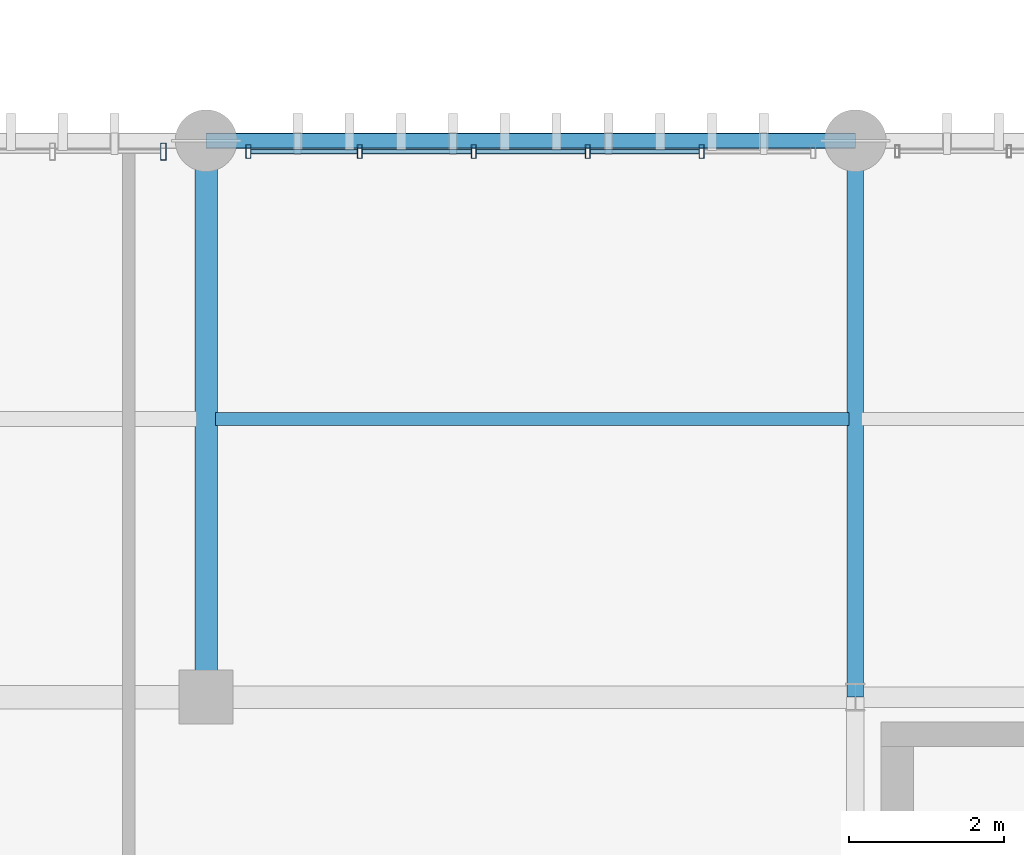
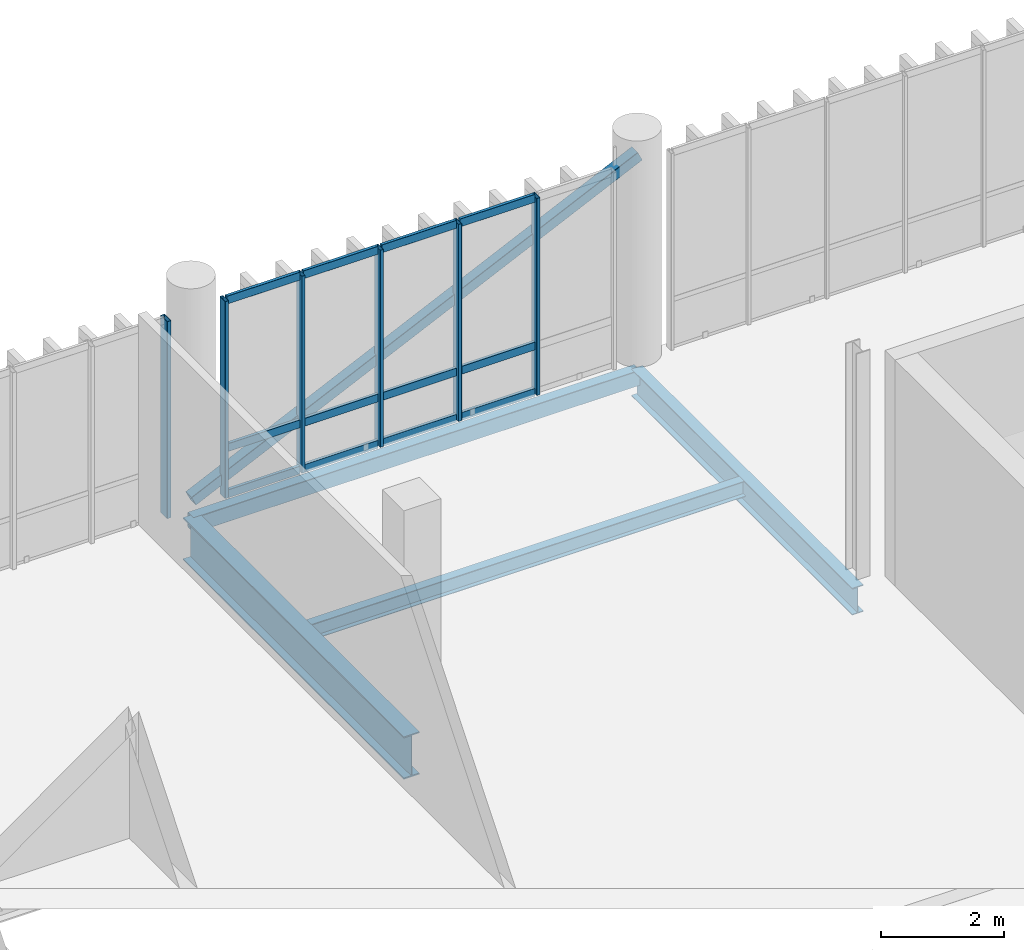
# One storey, part 32 of 68: 19 members, 4 beams, 2 elements without a shape of their own.
"""IFC4 building model written with IfcOpenShell, lengths in metres."""

import ifcopenshell
import ifcopenshell.guid

model = None  # the IFC model being written
_history = None  # IfcOwnerHistory: only IFC2X3 demands one
_inside = {}  # id of a spatial element -> (the spatial element, [elements in it])
_under = {}  # id of a project, library or spatial element -> (it, [spatial elements below it])
_declared = {}  # id of a project -> (the project, [libraries it declares])
_typed = {}  # id of a type object -> (the type object, [elements of that type])
_made_of = {}  # id of a material, layer set ... -> (it, [elements and type objects made of it])


def new_model(schema):
    """Start an empty IFC model of exactly this schema.

    Asked for "IFC4X3", IfcOpenShell would pick the latest addendum, in which some entities
    have other attributes; the version numbers below select the first issue.
    IFC2X3 requires an IfcOwnerHistory on every rooted entity: one is made here for all.
    """
    global model, _history
    if schema == "IFC4X3":
        model = ifcopenshell.file(schema_version=(4, 3, 0, 0))
    else:
        model = ifcopenshell.file(schema=schema)
    _inside.clear()
    _under.clear()
    _declared.clear()
    _typed.clear()
    _made_of.clear()
    _history = None
    if model.schema == "IFC2X3":
        org = make("IfcOrganization", Name="unknown")
        user = make(
            "IfcPersonAndOrganization",
            ThePerson=make("IfcPerson", FamilyName="unknown"),
            TheOrganization=org,
        )
        app = make(
            "IfcApplication",
            ApplicationDeveloper=org,
            Version="unknown",
            ApplicationFullName="unknown",
            ApplicationIdentifier="unknown",
        )
        _history = make(
            "IfcOwnerHistory",
            OwningUser=user,
            OwningApplication=app,
            ChangeAction="ADDED",
            CreationDate=0,
        )
    return model


def make(cls, **values):
    """One entity of the class cls with the attributes given. An attribute that is None is left unset."""
    return model.create_entity(
        cls, **{name: value for name, value in values.items() if value is not None}
    )


def rooted(cls, **values):
    """An entity with a GlobalId (a new one), such as an element, a storey or a relation."""
    return make(cls, GlobalId=ifcopenshell.guid.new(), OwnerHistory=_history, **values)


def si_unit(unit_type, name, prefix=None):
    """IfcSIUnit, for example si_unit("LENGTHUNIT", "METRE", prefix="MILLI")."""
    return make("IfcSIUnit", UnitType=unit_type, Prefix=prefix, Name=name)


def assignment(units):
    """IfcUnitAssignment: the units of a project."""
    return None if units is None else make("IfcUnitAssignment", Units=units)


def point(xyz):
    """IfcCartesianPoint."""
    return None if xyz is None else make("IfcCartesianPoint", Coordinates=xyz)


def direction(xyz):
    """IfcDirection."""
    return None if xyz is None else make("IfcDirection", DirectionRatios=xyz)


def frame(location, z_axis=None, x_axis=None):
    """IfcAxis2Placement3D, a coordinate frame: its origin and axes. An axis left out is left unset."""
    return make(
        "IfcAxis2Placement3D",
        Location=point(location),
        Axis=direction(z_axis),
        RefDirection=direction(x_axis),
    )


def frame_2d(location, x_axis=None):
    """IfcAxis2Placement2D, a coordinate frame in the plane: its origin and x axis."""
    return make(
        "IfcAxis2Placement2D", Location=point(location), RefDirection=direction(x_axis)
    )


def origin_with_axes():
    """The frame at (0, 0, 0) with the z axis (0, 0, 1) and the x axis (1, 0, 0) written out."""
    return frame((0.0, 0.0, 0.0), z_axis=(0.0, 0.0, 1.0), x_axis=(1.0, 0.0, 0.0))


def origin_2d_with_axis():
    """The frame at (0, 0) in the plane with the x axis (1, 0) written out."""
    return frame_2d((0.0, 0.0), x_axis=(1.0, 0.0))


def place(relative_to, where):
    """IfcLocalPlacement: puts the frame where relative to a parent placement (None: the world)."""
    return make(
        "IfcLocalPlacement", PlacementRelTo=relative_to, RelativePlacement=where
    )


def context(
    kind, dimensions, precision=None, world=None, true_north=None, identifier=None
):
    """IfcGeometricRepresentationContext, for example the 3D "Model" context."""
    return make(
        "IfcGeometricRepresentationContext",
        ContextIdentifier=identifier,
        ContextType=kind,
        CoordinateSpaceDimension=dimensions,
        Precision=precision,
        WorldCoordinateSystem=world,
        TrueNorth=true_north,
    )


def subcontext(parent, identifier, kind, view, scale=None):
    """IfcGeometricRepresentationSubContext, for example "Body" below "Model"."""
    return make(
        "IfcGeometricRepresentationSubContext",
        ContextIdentifier=identifier,
        ContextType=kind,
        ParentContext=parent,
        TargetScale=scale,
        TargetView=view,
    )


def project(units=None, contexts=None):
    """IfcProject with its units and contexts."""
    return rooted(
        "IfcProject",
        Name="project",
        RepresentationContexts=contexts,
        UnitsInContext=assignment(units),
    )


def spatial(cls, under=None, at=None, **own):
    """A site, building, storey or space (cls), placed at a placement, below another one or the project."""
    s = rooted(cls, ObjectPlacement=at, **own)
    if under is not None:
        _under.setdefault(under.id(), (under, []))[1].append(s)
    return s


def profile(cls, at=None, kind="AREA", **sizes):
    """A parametric profile (cls). Its sizes go by their IFC names, for example OverallWidth=200.0."""
    return make(cls, ProfileType=kind, Position=at, **sizes)


def hollow_rectangle(**sizes):
    """IfcRectangleHollowProfileDef."""
    return profile("IfcRectangleHollowProfileDef", **sizes)


def i_section(**sizes):
    """IfcIShapeProfileDef."""
    return profile("IfcIShapeProfileDef", **sizes)


def extrude(swept, where, along, depth):
    """IfcExtrudedAreaSolid: the profile swept, set in the frame where, extruded along a direction by depth."""
    return make(
        "IfcExtrudedAreaSolid",
        SweptArea=swept,
        Position=where,
        ExtrudedDirection=direction(along),
        Depth=depth,
    )


def shape(context_of_items, identifier, shape_type, items):
    """IfcShapeRepresentation: the items that make up one representation, for example the "Body"."""
    return make(
        "IfcShapeRepresentation",
        ContextOfItems=context_of_items,
        RepresentationIdentifier=identifier,
        RepresentationType=shape_type,
        Items=items,
    )


def material(Name=None, Category=None):
    """IfcMaterial."""
    return make("IfcMaterial", Name=Name, Category=Category)


def material_profile(
    of_material, cross_section, Name=None, Category=None, Priority=None
):
    """IfcMaterialProfile: a cross section and its material."""
    return make(
        "IfcMaterialProfile",
        Name=Name,
        Material=of_material,
        Profile=cross_section,
        Priority=Priority,
        Category=Category,
    )


def profile_set(profiles, Name=None, composite=None):
    """IfcMaterialProfileSet."""
    return make(
        "IfcMaterialProfileSet",
        Name=Name,
        MaterialProfiles=profiles,
        CompositeProfile=composite,
    )


def made_of(thing, what):
    """Note that an element or type object is made of a material, layer set ...; save() writes the relation."""
    if what is not None:
        _made_of.setdefault(what.id(), (what, []))[1].append(thing)
    return thing


def type_object(cls, material=None, **own):
    """A type object (cls), such as IfcWallType, which elements share."""
    return made_of(rooted(cls, **own), material)


def element(
    cls,
    number,
    at=None,
    inside=None,
    cuts=None,
    type_object=None,
    material=None,
    context=None,
    identifier="Body",
    shape_type=None,
    held_by="IfcProductDefinitionShape",
    body=None,
    shapes=None,
    **own,
):
    """One element of the class cls, such as IfcWall. Its Tag is "e" and its number.

    at: its placement. inside: the storey or other place that contains it. cuts: it is an
    opening in that element (IfcRelVoidsElement). A single representation is given by context,
    identifier, shape_type and body (its items); several are given by shapes. held_by: the class
    of the entity that holds the representations. save() writes the other relations.
    """
    e = rooted(cls, Tag="e%d" % number, ObjectPlacement=at, **own)
    if body is not None:
        shapes = [shape(context, identifier, shape_type, body)]
    if shapes is not None:
        e.Representation = make(held_by, Representations=shapes)
    if inside is not None:
        _inside.setdefault(inside.id(), (inside, []))[1].append(e)
    if cuts is not None:
        rooted(
            "IfcRelVoidsElement", RelatingBuildingElement=cuts, RelatedOpeningElement=e
        )
    if type_object is not None:
        _typed.setdefault(type_object.id(), (type_object, []))[1].append(e)
    return made_of(e, material)


def aggregate(whole, parts):
    """IfcRelAggregates: a whole, such as a stair, and the parts it consists of."""
    return rooted("IfcRelAggregates", RelatingObject=whole, RelatedObjects=parts)


def save(model, path):
    """Write the relations noted so far, then the file.

    IfcRelAggregates (storeys below a building ...), IfcRelContainedInSpatialStructure (elements
    in a storey), IfcRelDefinesByType, IfcRelAssociatesMaterial and IfcRelDeclares: one each for
    every whole, place, type object, material and project.
    """
    for whole, parts in _under.values():
        aggregate(whole, parts)
    for where, things in _inside.values():
        rooted(
            "IfcRelContainedInSpatialStructure",
            RelatedElements=things,
            RelatingStructure=where,
        )
    for kind, things in _typed.values():
        rooted("IfcRelDefinesByType", RelatedObjects=things, RelatingType=kind)
    for what, things in _made_of.values():
        rooted("IfcRelAssociatesMaterial", RelatedObjects=things, RelatingMaterial=what)
    for by, libraries in _declared.values():
        rooted("IfcRelDeclares", RelatingContext=by, RelatedDefinitions=libraries)
    model.write(path)


model = new_model("IFC4")

# Units and contexts
model_context = context("Model", 3, precision=1e-05, world=origin_with_axes(), true_north=direction((0.0, 1.0)))
body_context = subcontext(model_context, "Body", "Model", "MODEL_VIEW")
ifc_project = project(units=[si_unit("LENGTHUNIT", "METRE"), si_unit("AREAUNIT", "SQUARE_METRE"), si_unit("VOLUMEUNIT", "CUBIC_METRE"), si_unit("PLANEANGLEUNIT", "RADIAN"), si_unit("MASSUNIT", "GRAM", prefix="KILO"), si_unit("THERMODYNAMICTEMPERATUREUNIT", "KELVIN")], contexts=[model_context])

# Site, building, storey
site_placement = place(None, origin_with_axes())
site = spatial("IfcSite", under=ifc_project, at=site_placement, CompositionType="ELEMENT")
building_placement = place(site_placement, origin_with_axes())
building = spatial("IfcBuilding", under=site, at=building_placement, Name="Montbau Bow Law Courts", CompositionType="ELEMENT")
storey_placement = place(building_placement, frame((0.0, 0.0, 20.4), z_axis=(0.0, 0.0, 1.0), x_axis=(1.0, 0.0, 0.0)))
storey = spatial("IfcBuildingStorey", under=building, at=storey_placement, Name="L04", CompositionType="ELEMENT", Elevation=20.4)

# Beams
ifc_material_1 = material(Name="Steel CSA G40.21 Grade 350W (350 MPa)", Category="steel")
ifc_material_profile_1 = material_profile(ifc_material_1, i_section(OverallWidth=0.293, OverallDepth=0.846, WebThickness=0.0154, FlangeThickness=0.0244, at=origin_2d_with_axis()), Name="W840X210", Category="Main", Priority=0)
ifc_profile_set_1 = profile_set([ifc_material_profile_1], Name="Steel CSA G40.21 Grade 350W (350 MPa)")
beam_type_1 = type_object("IfcBeamType", Name="B-FLR-02", PredefinedType="BEAM", material=ifc_profile_set_1)
beam_1_placement = place(None, frame((72.0, 54.6, 19.697), z_axis=(0.0, 1.0, 0.0), x_axis=(-1.0, 0.0, 0.0)))
element("IfcBeam", 1, at=beam_1_placement, inside=storey, type_object=beam_type_1, Name="BM-L04-S0947:bm2_0950", PredefinedType="BEAM", context=body_context, shape_type="SweptSolid", body=[
    extrude(i_section(OverallWidth=0.293, OverallDepth=0.846, WebThickness=0.0154, FlangeThickness=0.0244, at=origin_2d_with_axis()), origin_with_axes(), (0.0, 0.0, 1.0), 7.2),
])
ifc_material_profile_2 = material_profile(ifc_material_1, i_section(OverallWidth=0.21, OverallDepth=0.537, WebThickness=0.0109, FlangeThickness=0.0174, at=origin_2d_with_axis()), Name="W530X101", Category="Main", Priority=0)
ifc_profile_set_2 = profile_set([ifc_material_profile_2], Name="Steel CSA G40.21 Grade 350W (350 MPa)")
beam_type_2 = type_object("IfcBeamType", Name="B-FLR-06", PredefinedType="BEAM", material=ifc_profile_set_2)
beam_2_placement = place(None, frame((80.4, 54.6, 19.852), z_axis=(0.0, 1.0, 0.0), x_axis=(-1.0, 0.0, 0.0)))
element("IfcBeam", 2, at=beam_2_placement, inside=storey, type_object=beam_type_2, Name="BM-L04-S0950:bm2_0953", PredefinedType="BEAM", context=body_context, shape_type="SweptSolid", body=[
    extrude(i_section(OverallWidth=0.21, OverallDepth=0.537, WebThickness=0.0109, FlangeThickness=0.0174, at=origin_2d_with_axis()), origin_with_axes(), (0.0, 0.0, 1.0), 7.2),
])
ifc_material_profile_3 = material_profile(ifc_material_1, i_section(OverallWidth=0.166, OverallDepth=0.313, WebThickness=0.0066, FlangeThickness=0.0112, at=origin_2d_with_axis()), Name="W310X45", Category="Main", Priority=0)
ifc_profile_set_3 = profile_set([ifc_material_profile_3], Name="Steel CSA G40.21 Grade 350W (350 MPa)")
beam_type_3 = type_object("IfcBeamType", Name="B-JST-04", PredefinedType="JOIST", material=ifc_profile_set_3)
beam_3_placement = place(None, frame((72.123, 58.2, 19.963), z_axis=(1.0, 0.0, 0.0), x_axis=(0.0, 1.0, 0.0)))
element("IfcBeam", 3, at=beam_3_placement, inside=storey, type_object=beam_type_3, Name="JST-L04-S0487:jst2_0487", PredefinedType="JOIST", context=body_context, shape_type="SweptSolid", body=[
    extrude(i_section(OverallWidth=0.166, OverallDepth=0.313, WebThickness=0.0066, FlangeThickness=0.0112, at=origin_2d_with_axis()), origin_with_axes(), (0.0, 0.0, 1.0), 8.196),
])
ifc_material_2 = material(Name="Steel CSA G40.21 Grade 350WT (350 MPa)", Category="steel")
ifc_material_profile_4 = material_profile(ifc_material_2, hollow_rectangle(XDim=0.203, YDim=0.305, WallThickness=0.0127, InnerFilletRadius=0.0254, OuterFilletRadius=0.0127, at=origin_2d_with_axis()), Name="HSS305X203X13", Category="Main", Priority=0)
ifc_profile_set_4 = profile_set([ifc_material_profile_4], Name="Steel CSA G40.21 Grade 350WT (350 MPa)")
beam_type_4 = type_object("IfcBeamType", Name="B-SPN-02", PredefinedType="SPANDREL", material=ifc_profile_set_4)
beam_4_placement = place(None, frame((72.0, 61.8, 19.968), z_axis=(1.0, 0.0, 0.0), x_axis=(0.0, 1.0, 0.0)))
element("IfcBeam", 4, at=beam_4_placement, inside=storey, type_object=beam_type_4, Name="SPN-L04-S0936:bm2_0939", PredefinedType="SPANDREL", context=body_context, shape_type="SweptSolid", body=[
    extrude(hollow_rectangle(XDim=0.203, YDim=0.305, WallThickness=0.0127, InnerFilletRadius=0.0254, OuterFilletRadius=0.0127, at=origin_2d_with_axis()), origin_with_axes(), (0.0, 0.0, 1.0), 8.4),
])

# Member
ifc_material_profile_5 = material_profile(ifc_material_1, hollow_rectangle(XDim=0.203, YDim=0.203, WallThickness=0.0111, InnerFilletRadius=0.0222, OuterFilletRadius=0.0111, at=origin_2d_with_axis()), Name="HSS203X203X11", Category="Main", Priority=0)
ifc_profile_set_5 = profile_set([ifc_material_profile_5], Name="Steel CSA G40.21 Grade 350W (350 MPa)")
member_type_1 = type_object("IfcMemberType", Name="M-BRC-02", PredefinedType="BRACE", material=ifc_profile_set_5)
member_1_placement = place(None, frame((72.0, 61.8, 20.45), z_axis=(0.905893637, 0.0, 0.423505275), x_axis=(0.0, 1.0, 0.0)))
element("IfcMember", 5, at=member_1_placement, inside=storey, type_object=member_type_1, Name="Diagonal brace CBF-L04-054A", PredefinedType="BRACE", context=body_context, shape_type="SweptSolid", body=[
    extrude(hollow_rectangle(XDim=0.203, YDim=0.203, WallThickness=0.0111, InnerFilletRadius=0.0222, OuterFilletRadius=0.0111, at=origin_2d_with_axis()), origin_with_axes(), (0.0, 0.0, 1.0), 9.272612),
])

# Curtain wall, member
ifc_material_3 = material(Name="Thermally Broken Extruded Aluminium AA 6063-T6", Category="aluminium")
curtain_wall_type = type_object("IfcCurtainWallType", Name="CW-CRM-01", PredefinedType="NOTDEFINED", material=ifc_material_3)
curtain_wall_1_placement = place(None, frame((64.115, 61.66, 20.4), z_axis=(0.0, 0.0, 1.0), x_axis=(1.0, 0.0, 0.0)))
curtain_wall_1 = element("IfcCurtainWall", 6, at=curtain_wall_1_placement, inside=storey, type_object=curtain_wall_type, Name="CW-L04-201:cw_0201", PredefinedType="NOTDEFINED")
ifc_material_profile_6 = material_profile(ifc_material_3, hollow_rectangle(XDim=0.075, YDim=0.22, WallThickness=0.005, InnerFilletRadius=0.01, OuterFilletRadius=0.005, at=origin_2d_with_axis()), Name="CWM-220X75", Category="Main", Priority=0)
ifc_profile_set_6 = profile_set([ifc_material_profile_6], Name="Thermally Broken Extruded Aluminium AA 6063-T6")
member_type_2 = type_object("IfcMemberType", Name="M-MUL-01", PredefinedType="MULLION", material=ifc_profile_set_6)
member_2_placement = place(None, frame((71.448, 61.66, 20.4), z_axis=(0.0, 0.0, 1.0), x_axis=(1.0, 0.0, 0.0)))
member_2 = element("IfcMember", 7, at=member_2_placement, type_object=member_type_2, Name="CW-L04-201-M06:cw_0201_M06", PredefinedType="MULLION", context=body_context, shape_type="SweptSolid", body=[
    extrude(hollow_rectangle(XDim=0.075, YDim=0.22, WallThickness=0.005, InnerFilletRadius=0.01, OuterFilletRadius=0.005, at=origin_2d_with_axis()), origin_with_axes(), (0.0, 0.0, 1.0), 3.92),
])
aggregate(curtain_wall_1, [member_2])

# Curtain wall, members
curtain_wall_2_placement = place(None, frame((72.515, 61.66, 20.4), z_axis=(0.0, 0.0, 1.0), x_axis=(1.0, 0.0, 0.0)))
curtain_wall_2 = element("IfcCurtainWall", 8, at=curtain_wall_2_placement, inside=storey, type_object=curtain_wall_type, Name="CW-L04-202:cw_0202", PredefinedType="NOTDEFINED")
ifc_material_profile_7 = material_profile(ifc_material_3, hollow_rectangle(XDim=0.065, YDim=0.18, WallThickness=0.005, InnerFilletRadius=0.01, OuterFilletRadius=0.005, at=origin_2d_with_axis()), Name="CWM-180X65", Category="Main", Priority=0)
ifc_profile_set_7 = profile_set([ifc_material_profile_7], Name="Thermally Broken Extruded Aluminium AA 6063-T6")
member_type_3 = type_object("IfcMemberType", Name="M-MUL-02", PredefinedType="MULLION", material=ifc_profile_set_7)
member_3_placement = place(None, frame((72.548, 61.66, 20.4), z_axis=(0.0, 0.0, 1.0), x_axis=(1.0, 0.0, 0.0)))
member_3 = element("IfcMember", 9, at=member_3_placement, type_object=member_type_3, Name="CW-L04-202-M01:cw_0202_M01", PredefinedType="MULLION", context=body_context, shape_type="SweptSolid", body=[
    extrude(hollow_rectangle(XDim=0.065, YDim=0.18, WallThickness=0.005, InnerFilletRadius=0.01, OuterFilletRadius=0.005, at=origin_2d_with_axis()), origin_with_axes(), (0.0, 0.0, 1.0), 3.92),
])
member_4_placement = place(None, frame((73.989, 61.66, 20.4), z_axis=(0.0, 0.0, 1.0), x_axis=(1.0, 0.0, 0.0)))
member_4 = element("IfcMember", 10, at=member_4_placement, type_object=member_type_3, Name="CW-L04-202-M02:cw_0202_M02", PredefinedType="MULLION", context=body_context, shape_type="SweptSolid", body=[
    extrude(hollow_rectangle(XDim=0.065, YDim=0.18, WallThickness=0.005, InnerFilletRadius=0.01, OuterFilletRadius=0.005, at=origin_2d_with_axis()), origin_with_axes(), (0.0, 0.0, 1.0), 3.92),
])
member_5_placement = place(None, frame((75.463, 61.66, 20.4), z_axis=(0.0, 0.0, 1.0), x_axis=(1.0, 0.0, 0.0)))
member_5 = element("IfcMember", 11, at=member_5_placement, type_object=member_type_3, Name="CW-L04-202-M03:cw_0202_M03", PredefinedType="MULLION", context=body_context, shape_type="SweptSolid", body=[
    extrude(hollow_rectangle(XDim=0.065, YDim=0.18, WallThickness=0.005, InnerFilletRadius=0.01, OuterFilletRadius=0.005, at=origin_2d_with_axis()), origin_with_axes(), (0.0, 0.0, 1.0), 3.92),
])
member_6_placement = place(None, frame((76.937, 61.66, 20.4), z_axis=(0.0, 0.0, 1.0), x_axis=(1.0, 0.0, 0.0)))
member_6 = element("IfcMember", 12, at=member_6_placement, type_object=member_type_3, Name="CW-L04-202-M04:cw_0202_M04", PredefinedType="MULLION", context=body_context, shape_type="SweptSolid", body=[
    extrude(hollow_rectangle(XDim=0.065, YDim=0.18, WallThickness=0.005, InnerFilletRadius=0.01, OuterFilletRadius=0.005, at=origin_2d_with_axis()), origin_with_axes(), (0.0, 0.0, 1.0), 3.92),
])
member_7_placement = place(None, frame((78.411, 61.66, 20.4), z_axis=(0.0, 0.0, 1.0), x_axis=(1.0, 0.0, 0.0)))
member_7 = element("IfcMember", 13, at=member_7_placement, type_object=member_type_3, Name="CW-L04-202-M05:cw_0202_M05", PredefinedType="MULLION", context=body_context, shape_type="SweptSolid", body=[
    extrude(hollow_rectangle(XDim=0.065, YDim=0.18, WallThickness=0.005, InnerFilletRadius=0.01, OuterFilletRadius=0.005, at=origin_2d_with_axis()), origin_with_axes(), (0.0, 0.0, 1.0), 3.92),
])
ifc_material_profile_8 = material_profile(ifc_material_3, hollow_rectangle(XDim=0.06, YDim=0.16, WallThickness=0.004, InnerFilletRadius=0.008, OuterFilletRadius=0.004, at=origin_2d_with_axis()), Name="CWT-160X60", Category="Main", Priority=0)
ifc_profile_set_8 = profile_set([ifc_material_profile_8], Name="Thermally Broken Extruded Aluminium AA 6063-T6")
member_type_4 = type_object("IfcMemberType", Name="M-TRN-01", PredefinedType="USERDEFINED", material=ifc_profile_set_8)
member_8_placement = place(None, frame((72.583, 61.66, 20.43), z_axis=(1.0, 0.0, 0.0), x_axis=(0.0, 1.0, 0.0)))
member_8 = element("IfcMember", 14, at=member_8_placement, type_object=member_type_4, Name="CW-L04-202-T01-1:cw_0202_T01_1", ObjectType="TRANSOM", PredefinedType="USERDEFINED", context=body_context, shape_type="SweptSolid", body=[
    extrude(hollow_rectangle(XDim=0.06, YDim=0.16, WallThickness=0.004, InnerFilletRadius=0.008, OuterFilletRadius=0.004, at=origin_2d_with_axis()), origin_with_axes(), (0.0, 0.0, 1.0), 1.372),
])
member_9_placement = place(None, frame((72.583, 61.66, 21.35), z_axis=(1.0, 0.0, 0.0), x_axis=(0.0, 1.0, 0.0)))
member_9 = element("IfcMember", 15, at=member_9_placement, type_object=member_type_4, Name="CW-L04-202-T01-2:cw_0202_T01_2", ObjectType="TRANSOM", PredefinedType="USERDEFINED", context=body_context, shape_type="SweptSolid", body=[
    extrude(hollow_rectangle(XDim=0.06, YDim=0.16, WallThickness=0.004, InnerFilletRadius=0.008, OuterFilletRadius=0.004, at=origin_2d_with_axis()), origin_with_axes(), (0.0, 0.0, 1.0), 1.372),
])
member_10_placement = place(None, frame((72.583, 61.66, 24.29), z_axis=(1.0, 0.0, 0.0), x_axis=(0.0, 1.0, 0.0)))
member_10 = element("IfcMember", 16, at=member_10_placement, type_object=member_type_4, Name="CW-L04-202-T01-3:cw_0202_T01_3", ObjectType="TRANSOM", PredefinedType="USERDEFINED", context=body_context, shape_type="SweptSolid", body=[
    extrude(hollow_rectangle(XDim=0.06, YDim=0.16, WallThickness=0.004, InnerFilletRadius=0.008, OuterFilletRadius=0.004, at=origin_2d_with_axis()), origin_with_axes(), (0.0, 0.0, 1.0), 1.372),
])
member_11_placement = place(None, frame((74.023, 61.66, 20.43), z_axis=(1.0, 0.0, 0.0), x_axis=(0.0, 1.0, 0.0)))
member_11 = element("IfcMember", 17, at=member_11_placement, type_object=member_type_4, Name="CW-L04-202-T02-1:cw_0202_T02_1", ObjectType="TRANSOM", PredefinedType="USERDEFINED", context=body_context, shape_type="SweptSolid", body=[
    extrude(hollow_rectangle(XDim=0.06, YDim=0.16, WallThickness=0.004, InnerFilletRadius=0.008, OuterFilletRadius=0.004, at=origin_2d_with_axis()), origin_with_axes(), (0.0, 0.0, 1.0), 1.405),
])
member_12_placement = place(None, frame((74.023, 61.66, 21.35), z_axis=(1.0, 0.0, 0.0), x_axis=(0.0, 1.0, 0.0)))
member_12 = element("IfcMember", 18, at=member_12_placement, type_object=member_type_4, Name="CW-L04-202-T02-2:cw_0202_T02_2", ObjectType="TRANSOM", PredefinedType="USERDEFINED", context=body_context, shape_type="SweptSolid", body=[
    extrude(hollow_rectangle(XDim=0.06, YDim=0.16, WallThickness=0.004, InnerFilletRadius=0.008, OuterFilletRadius=0.004, at=origin_2d_with_axis()), origin_with_axes(), (0.0, 0.0, 1.0), 1.405),
])
member_13_placement = place(None, frame((74.023, 61.66, 24.29), z_axis=(1.0, 0.0, 0.0), x_axis=(0.0, 1.0, 0.0)))
member_13 = element("IfcMember", 19, at=member_13_placement, type_object=member_type_4, Name="CW-L04-202-T02-3:cw_0202_T02_3", ObjectType="TRANSOM", PredefinedType="USERDEFINED", context=body_context, shape_type="SweptSolid", body=[
    extrude(hollow_rectangle(XDim=0.06, YDim=0.16, WallThickness=0.004, InnerFilletRadius=0.008, OuterFilletRadius=0.004, at=origin_2d_with_axis()), origin_with_axes(), (0.0, 0.0, 1.0), 1.405),
])
member_14_placement = place(None, frame((75.497, 61.66, 20.43), z_axis=(1.0, 0.0, 0.0), x_axis=(0.0, 1.0, 0.0)))
member_14 = element("IfcMember", 20, at=member_14_placement, type_object=member_type_4, Name="CW-L04-202-T03-1:cw_0202_T03_1", ObjectType="TRANSOM", PredefinedType="USERDEFINED", context=body_context, shape_type="SweptSolid", body=[
    extrude(hollow_rectangle(XDim=0.06, YDim=0.16, WallThickness=0.004, InnerFilletRadius=0.008, OuterFilletRadius=0.004, at=origin_2d_with_axis()), origin_with_axes(), (0.0, 0.0, 1.0), 1.406),
])
member_15_placement = place(None, frame((75.497, 61.66, 21.35), z_axis=(1.0, 0.0, 0.0), x_axis=(0.0, 1.0, 0.0)))
member_15 = element("IfcMember", 21, at=member_15_placement, type_object=member_type_4, Name="CW-L04-202-T03-2:cw_0202_T03_2", ObjectType="TRANSOM", PredefinedType="USERDEFINED", context=body_context, shape_type="SweptSolid", body=[
    extrude(hollow_rectangle(XDim=0.06, YDim=0.16, WallThickness=0.004, InnerFilletRadius=0.008, OuterFilletRadius=0.004, at=origin_2d_with_axis()), origin_with_axes(), (0.0, 0.0, 1.0), 1.406),
])
member_16_placement = place(None, frame((75.497, 61.66, 24.29), z_axis=(1.0, 0.0, 0.0), x_axis=(0.0, 1.0, 0.0)))
member_16 = element("IfcMember", 22, at=member_16_placement, type_object=member_type_4, Name="CW-L04-202-T03-3:cw_0202_T03_3", ObjectType="TRANSOM", PredefinedType="USERDEFINED", context=body_context, shape_type="SweptSolid", body=[
    extrude(hollow_rectangle(XDim=0.06, YDim=0.16, WallThickness=0.004, InnerFilletRadius=0.008, OuterFilletRadius=0.004, at=origin_2d_with_axis()), origin_with_axes(), (0.0, 0.0, 1.0), 1.406),
])
member_17_placement = place(None, frame((76.971, 61.66, 20.43), z_axis=(1.0, 0.0, 0.0), x_axis=(0.0, 1.0, 0.0)))
member_17 = element("IfcMember", 23, at=member_17_placement, type_object=member_type_4, Name="CW-L04-202-T04-1:cw_0202_T04_1", ObjectType="TRANSOM", PredefinedType="USERDEFINED", context=body_context, shape_type="SweptSolid", body=[
    extrude(hollow_rectangle(XDim=0.06, YDim=0.16, WallThickness=0.004, InnerFilletRadius=0.008, OuterFilletRadius=0.004, at=origin_2d_with_axis()), origin_with_axes(), (0.0, 0.0, 1.0), 1.406),
])
member_18_placement = place(None, frame((76.971, 61.66, 21.35), z_axis=(1.0, 0.0, 0.0), x_axis=(0.0, 1.0, 0.0)))
member_18 = element("IfcMember", 24, at=member_18_placement, type_object=member_type_4, Name="CW-L04-202-T04-2:cw_0202_T04_2", ObjectType="TRANSOM", PredefinedType="USERDEFINED", context=body_context, shape_type="SweptSolid", body=[
    extrude(hollow_rectangle(XDim=0.06, YDim=0.16, WallThickness=0.004, InnerFilletRadius=0.008, OuterFilletRadius=0.004, at=origin_2d_with_axis()), origin_with_axes(), (0.0, 0.0, 1.0), 1.406),
])
member_19_placement = place(None, frame((76.971, 61.66, 24.29), z_axis=(1.0, 0.0, 0.0), x_axis=(0.0, 1.0, 0.0)))
member_19 = element("IfcMember", 25, at=member_19_placement, type_object=member_type_4, Name="CW-L04-202-T04-3:cw_0202_T04_3", ObjectType="TRANSOM", PredefinedType="USERDEFINED", context=body_context, shape_type="SweptSolid", body=[
    extrude(hollow_rectangle(XDim=0.06, YDim=0.16, WallThickness=0.004, InnerFilletRadius=0.008, OuterFilletRadius=0.004, at=origin_2d_with_axis()), origin_with_axes(), (0.0, 0.0, 1.0), 1.406),
])
aggregate(curtain_wall_2, [member_3, member_4, member_5, member_6, member_7, member_8, member_9, member_10, member_11, member_12, member_13, member_14, member_15, member_16, member_17, member_18, member_19])

save(model, "model.ifc")
